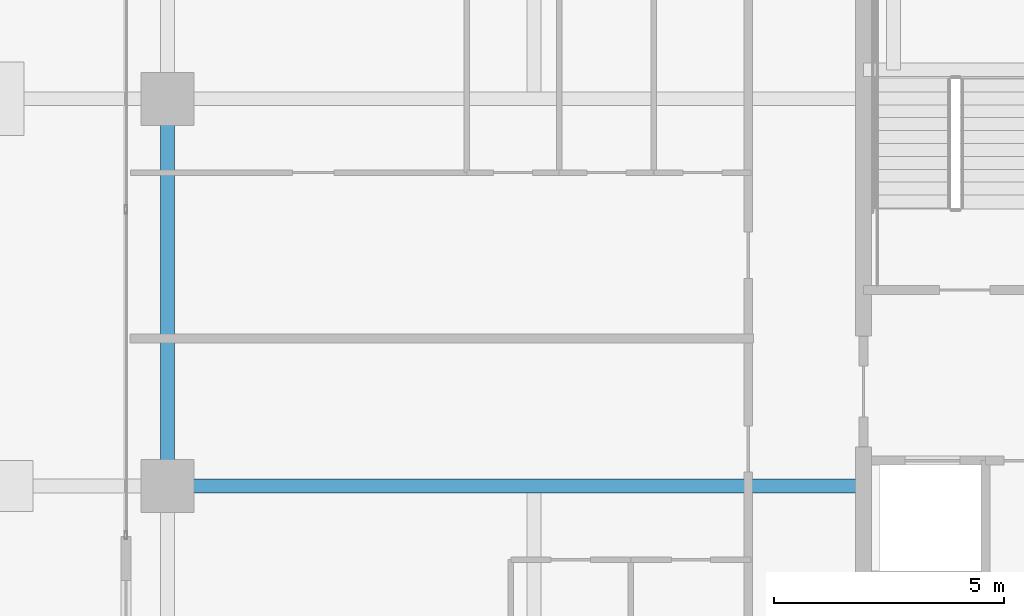
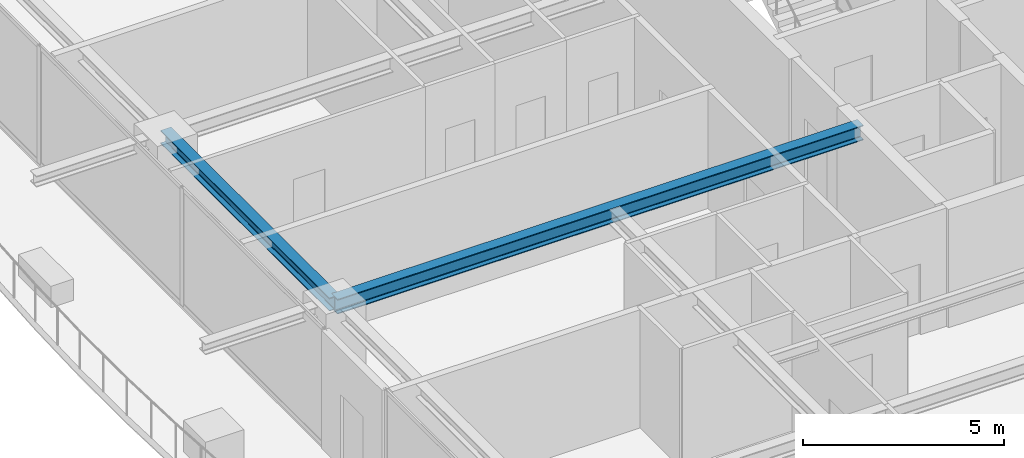
# One storey, part 9 of 38: 2 beams.
"""IFC4 building model written with IfcOpenShell, lengths in metres."""

from ifc_helpers import new_model, si_unit, direction, frame, origin, origin_2d, place, context, subcontext, project, spatial, i_section, extrude, source, transform, mapped, material, material_profile, profile_set, type_object, element, save


model = new_model("IFC4")

# Units and contexts
model_context = context("Model", 3, precision=1e-05, world=origin(), true_north=direction((0.0, 1.0)))
body_context = subcontext(model_context, "Body", "Model", "MODEL_VIEW")
ifc_project = project(units=[si_unit("LENGTHUNIT", "METRE"), si_unit("AREAUNIT", "SQUARE_METRE"), si_unit("VOLUMEUNIT", "CUBIC_METRE"), si_unit("PLANEANGLEUNIT", "RADIAN"), si_unit("MASSUNIT", "GRAM", prefix="KILO")], contexts=[model_context])

# Site, building, storey
site_placement = place(None, origin())
site = spatial("IfcSite", under=ifc_project, at=site_placement, CompositionType="ELEMENT")
building_placement = place(site_placement, origin())
building = spatial("IfcBuilding", under=site, at=building_placement, Name="Serunith Strait Residences", CompositionType="ELEMENT")
storey_placement = place(building_placement, frame((0.0, 0.0, 268.199951171875)))
storey = spatial("IfcBuildingStorey", under=building, at=storey_placement, Name="L67", CompositionType="ELEMENT", Elevation=268.199951171875)

# Beams
ifc_material = material(Name="Steel S355J2", Category="steel")
ifc_material_profile_1 = material_profile(ifc_material, i_section(OverallWidth=0.300048828125, OverallDepth=0.449951171875, WebThickness=0.013916015625, FlangeThickness=0.02587890625, FilletRadius=0.027099609375, at=origin_2d()), Name="HEB 450")
ifc_profile_set_1 = profile_set([ifc_material_profile_1], Name="Steel S355J2")
beam_type_1 = type_object("IfcBeamType", Name="BM-HEB450", PredefinedType="BEAM", material=ifc_profile_set_1)
shared_shape_1 = source(origin(), body_context, "Body", "SweptSolid", [
    extrude(i_section(OverallWidth=0.300048828125, OverallDepth=0.449951171875, WebThickness=0.013916015625, FlangeThickness=0.02587890625, FilletRadius=0.027099609375, at=origin_2d()), origin(), (0.0, 0.0, 1.0), 15.099853515625),
])
beam_1_placement = place(storey_placement, frame((23.39990234375, 21.0, 3.362060546875), z_axis=(-1.0, 0.0, 0.0), x_axis=(0.0, -1.0, 0.0)))
element("IfcBeam", 1, at=beam_1_placement, inside=storey, type_object=beam_type_1, Name="L67 Primary Floor Girder TC-W2", PredefinedType="BEAM", context=body_context, shape_type="MappedRepresentation", body=[
    mapped(shared_shape_1, transform((0.0, 0.0, 0.0), scale=1.0)),
])
ifc_material_profile_2 = material_profile(ifc_material, i_section(OverallWidth=0.300048828125, OverallDepth=0.39990234375, WebThickness=0.013427734375, FlangeThickness=0.02392578125, FilletRadius=0.027099609375, at=origin_2d()), Name="HEB 400")
ifc_profile_set_2 = profile_set([ifc_material_profile_2], Name="Steel S355J2")
beam_type_2 = type_object("IfcBeamType", Name="BM-HEB400", PredefinedType="BEAM", material=ifc_profile_set_2)
shared_shape_2 = source(origin(), body_context, "Body", "SweptSolid", [
    extrude(i_section(OverallWidth=0.300048828125, OverallDepth=0.39990234375, WebThickness=0.013427734375, FlangeThickness=0.02392578125, FilletRadius=0.027099609375, at=origin_2d()), origin(), (0.0, 0.0, 1.0), 8.39990234375),
])
beam_2_placement = place(storey_placement, frame((8.300048828125, 29.39990234375, 3.386962890625), z_axis=(0.0, -1.0, 0.0), x_axis=(1.0, 0.0, 0.0)))
element("IfcBeam", 2, at=beam_2_placement, inside=storey, type_object=beam_type_2, Name="L67 Perimeter Ring Beam 14", PredefinedType="BEAM", context=body_context, shape_type="MappedRepresentation", body=[
    mapped(shared_shape_2, transform((0.0, 0.0, 0.0), scale=1.0)),
])

save(model, "model.ifc")
